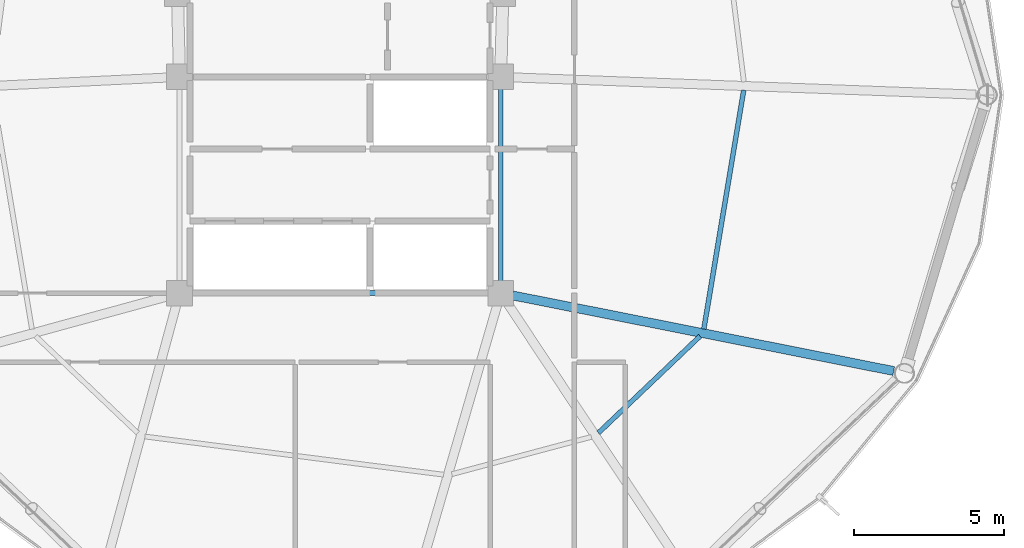
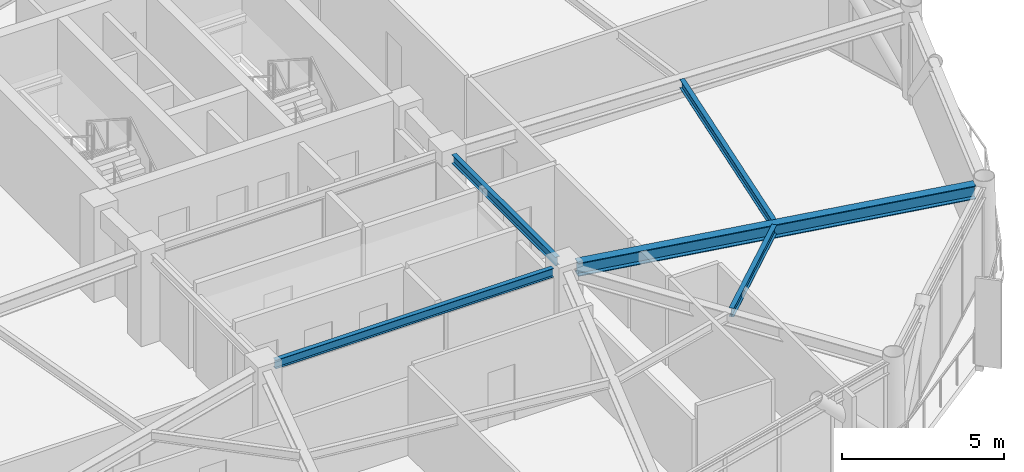
# One storey, part 11 of 29: 5 beams.
"""IFC4 building model written with IfcOpenShell, lengths in metres."""

from ifc_helpers import new_model, si_unit, direction, frame, origin, origin_2d, place, context, subcontext, project, spatial, i_section, extrude, material, material_profile, profile_set, type_object, element, save


model = new_model("IFC4")

# Units and contexts
model_context = context("Model", 3, precision=1e-05, world=origin(), true_north=direction((0.0, 1.0)))
body_context = subcontext(model_context, "Body", "Model", "MODEL_VIEW")
ifc_project = project(units=[si_unit("LENGTHUNIT", "METRE"), si_unit("AREAUNIT", "SQUARE_METRE"), si_unit("VOLUMEUNIT", "CUBIC_METRE"), si_unit("PLANEANGLEUNIT", "RADIAN"), si_unit("MASSUNIT", "GRAM", prefix="KILO")], contexts=[model_context])

# Site, building, storey
site_placement = place(None, origin())
site = spatial("IfcSite", under=ifc_project, at=site_placement, CompositionType="ELEMENT")
building_placement = place(site_placement, origin())
building = spatial("IfcBuilding", under=site, at=building_placement, Name="Varnakorn Sky Granary", CompositionType="ELEMENT")
storey_placement = place(building_placement, frame((0.0, 0.0, 182.39990234375)))
storey = spatial("IfcBuildingStorey", under=building, at=storey_placement, Name="L45", CompositionType="ELEMENT", Elevation=182.39990234375)

# Beams
ifc_material = material(Name="Steel S355JR", Category="steel")
ifc_material_profile_1 = material_profile(ifc_material, i_section(OverallWidth=0.300048828125, OverallDepth=0.5, WebThickness=0.014404296875, FlangeThickness=0.028076171875, at=origin_2d()), Name="HE 500 B")
ifc_profile_set_1 = profile_set([ifc_material_profile_1], Name="Steel S355JR")
beam_type_1 = type_object("IfcBeamType", Name="BM-RAD-Z4", PredefinedType="BEAM", material=ifc_profile_set_1)
beam_1_placement = place(storey_placement, frame((8.747314453125, -6.6787109375, 3.110107421875), z_axis=(0.980902295482, -0.194501122667, 0.0), x_axis=(0.194501122667, 0.980902295482, 0.0)))
element("IfcBeam", 1, at=beam_1_placement, inside=storey, type_object=beam_type_1, Name="Radial Floor Girder RG12 L45", PredefinedType="BEAM", context=body_context, shape_type="SweptSolid", body=[
    extrude(i_section(OverallWidth=0.300048828125, OverallDepth=0.5, WebThickness=0.014404296875, FlangeThickness=0.028076171875, at=origin_2d()), origin(), (0.0, 0.0, 1.0), 12.938720703125),
])
ifc_material_profile_2 = material_profile(ifc_material, i_section(OverallWidth=0.159912109375, OverallDepth=0.330078125, WebThickness=0.007568359375, FlangeThickness=0.011474609375, at=origin_2d()), Name="IPE 330")
ifc_profile_set_2 = profile_set([ifc_material_profile_2], Name="Steel S355JR")
beam_type_2 = type_object("IfcBeamType", Name="BM-SEC-Z4", PredefinedType="BEAM", material=ifc_profile_set_2)
beam_2_placement = place(storey_placement, frame((11.604248046875, -11.25732421875, 3.195068359375), z_axis=(0.72437999047, 0.68940092066, 0.0), x_axis=(-0.68940092066, 0.72437999047, 0.0)))
element("IfcBeam", 2, at=beam_2_placement, inside=storey, type_object=beam_type_2, Name="Secondary Floor Chord Beam MSB11 L45", PredefinedType="BEAM", context=body_context, shape_type="SweptSolid", body=[
    extrude(i_section(OverallWidth=0.159912109375, OverallDepth=0.330078125, WebThickness=0.007568359375, FlangeThickness=0.011474609375, at=origin_2d()), origin(), (0.0, 0.0, 1.0), 4.67626953125),
])
beam_3_placement = place(storey_placement, frame((15.1162109375, -7.798828125, 3.195068359375), z_axis=(0.164708070575, 0.986342360181, 0.0), x_axis=(-0.986342360181, 0.164708070575, 0.0)))
element("IfcBeam", 3, at=beam_3_placement, inside=storey, type_object=beam_type_2, Name="Secondary Floor Chord Beam MSB12 L45", PredefinedType="BEAM", context=body_context, shape_type="SweptSolid", body=[
    extrude(i_section(OverallWidth=0.159912109375, OverallDepth=0.330078125, WebThickness=0.007568359375, FlangeThickness=0.011474609375, at=origin_2d()), origin(), (0.0, 0.0, 1.0), 8.0693359375),
])
beam_4_placement = place(storey_placement, frame((8.35009765625, 0.195068359375, 3.195068359375), z_axis=(0.0, -1.0, 0.0), x_axis=(1.0, 0.0, 0.0)))
element("IfcBeam", 4, at=beam_4_placement, inside=storey, type_object=beam_type_2, Name="Core Spine Framing Beam 4 L45", PredefinedType="BEAM", context=body_context, shape_type="SweptSolid", body=[
    extrude(i_section(OverallWidth=0.159912109375, OverallDepth=0.330078125, WebThickness=0.007568359375, FlangeThickness=0.011474609375, at=origin_2d()), origin(), (0.0, 0.0, 1.0), 6.39013671875),
])
beam_5_placement = place(storey_placement, frame((-1.945068359375, -6.60009765625, 3.195068359375), z_axis=(1.0, 0.0, 0.0), x_axis=(0.0, 1.0, 0.0)))
element("IfcBeam", 5, at=beam_5_placement, inside=storey, type_object=beam_type_2, Name="Core Spine Framing Beam 6 L45", PredefinedType="BEAM", context=body_context, shape_type="SweptSolid", body=[
    extrude(i_section(OverallWidth=0.159912109375, OverallDepth=0.330078125, WebThickness=0.007568359375, FlangeThickness=0.011474609375, at=origin_2d()), origin(), (0.0, 0.0, 1.0), 9.89013671875),
])

save(model, "model.ifc")
